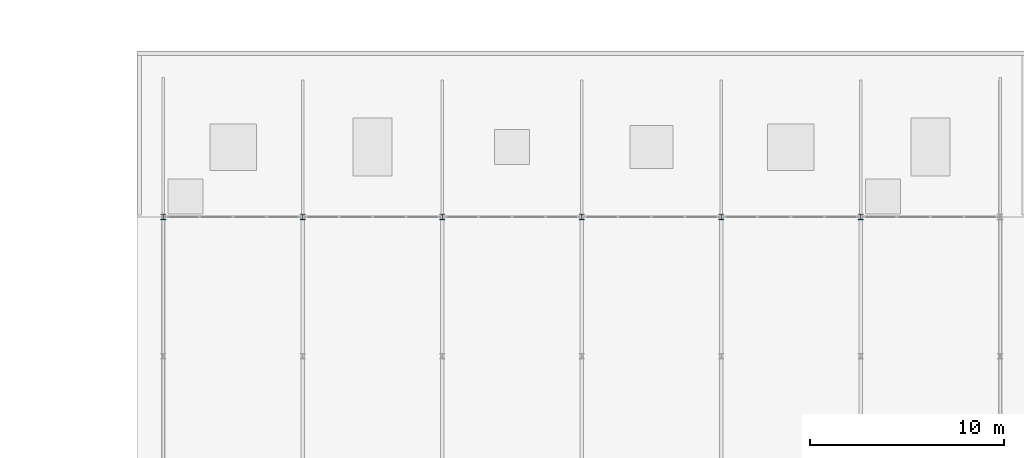
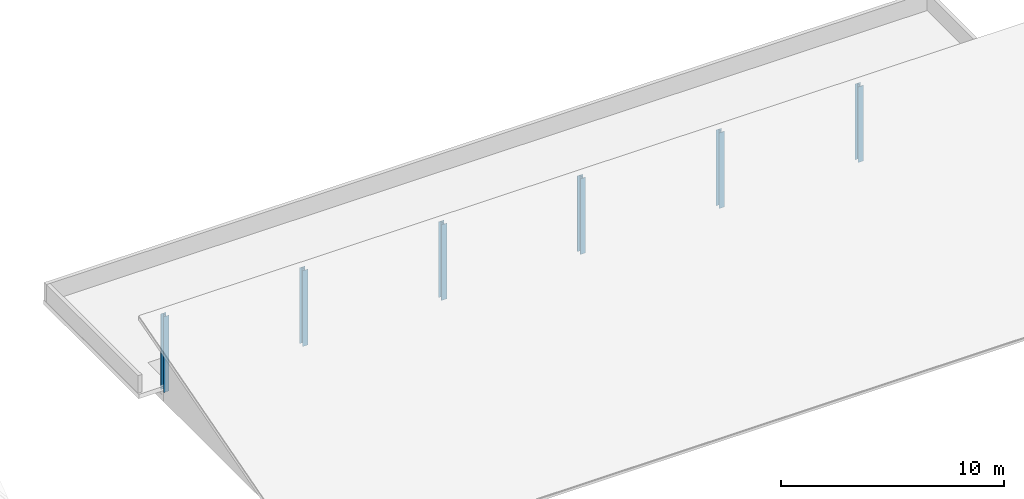
# One storey, part 14 of 157: 6 columns.
"""IFC4 building model written with IfcOpenShell, lengths in metres."""

from ifc_helpers import new_model, si_unit, direction, frame, origin, origin_2d, place, context, subcontext, project, spatial, i_section, extrude, material, material_profile, profile_set, type_object, element, save


model = new_model("IFC4")

# Units and contexts
model_context = context("Model", 3, precision=1e-05, world=origin(), true_north=direction((0.0, 1.0)))
body_context = subcontext(model_context, "Body", "Model", "MODEL_VIEW")
ifc_project = project(units=[si_unit("LENGTHUNIT", "METRE"), si_unit("AREAUNIT", "SQUARE_METRE"), si_unit("VOLUMEUNIT", "CUBIC_METRE"), si_unit("PLANEANGLEUNIT", "RADIAN"), si_unit("MASSUNIT", "GRAM", prefix="KILO")], contexts=[model_context])

# Site, building, storey
site_placement = place(None, origin())
site = spatial("IfcSite", under=ifc_project, at=site_placement, CompositionType="ELEMENT")
building_placement = place(site_placement, origin())
building = spatial("IfcBuilding", under=site, at=building_placement, Name="Suanplinth Sawtooth Commons", CompositionType="ELEMENT")
storey_placement = place(building_placement, frame((0.0, 0.0, 9.0)))
storey = spatial("IfcBuildingStorey", under=building, at=storey_placement, Name="L02", CompositionType="ELEMENT", Elevation=9.0)

# Columns
ifc_material = material(Name="Steel S355JR", Category="steel")
ifc_material_profile = material_profile(ifc_material, i_section(OverallWidth=0.280029296875, OverallDepth=0.280029296875, WebThickness=0.010498046875, FlangeThickness=0.01806640625, at=origin_2d()), Name="HEB 280")
ifc_profile_set = profile_set([ifc_material_profile], Name="Steel S355JR")
column_type = type_object("IfcColumnType", Name="C-11", PredefinedType="COLUMN", material=ifc_profile_set)
for number, where, z_axis, x_axis, name in (
    (1, (129.60009765625, 64.800048828125, 0.0), (0.0, 0.0, 1.0), (1.0, 0.0, 0.0), "Nursery Ridge Steel Post 19"),
    (2, (136.800048828125, 64.800048828125, 0.0), (0.0, 0.0, 1.0), (1.0, 0.0, 0.0), "Nursery Ridge Steel Post 20"),
    (3, (144.0, 64.800048828125, 0.0), (0.0, 0.0, 1.0), (1.0, 0.0, 0.0), "Nursery Ridge Steel Post 21"),
    (4, (151.199951171875, 64.800048828125, 0.0), (0.0, 0.0, 1.0), (1.0, 0.0, 0.0), "Nursery Ridge Steel Post 22"),
    (5, (158.39990234375, 64.800048828125, 0.0), (0.0, 0.0, 1.0), (1.0, 0.0, 0.0), "Nursery Ridge Steel Post 23"),
    (6, (165.60009765625, 64.800048828125, 0.0), (0.0, 0.0, 1.0), (1.0, 0.0, 0.0), "Nursery Ridge Steel Post 24"),
):
    element("IfcColumn", number, at=place(storey_placement, frame(where, z_axis=z_axis, x_axis=x_axis)), inside=storey, type_object=column_type, Name=name, PredefinedType="COLUMN", context=body_context, shape_type="SweptSolid", body=[
        extrude(i_section(OverallWidth=0.280029296875, OverallDepth=0.280029296875, WebThickness=0.010498046875, FlangeThickness=0.01806640625, at=origin_2d()), origin(), (0.0, 0.0, 1.0), 4.14990234375),
    ])

save(model, "model.ifc")
